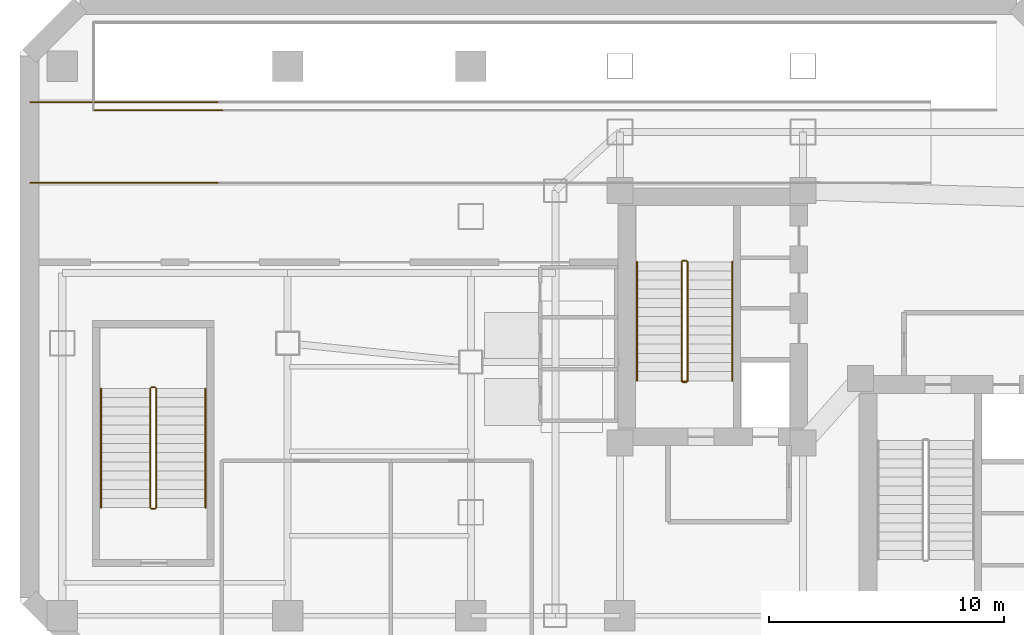
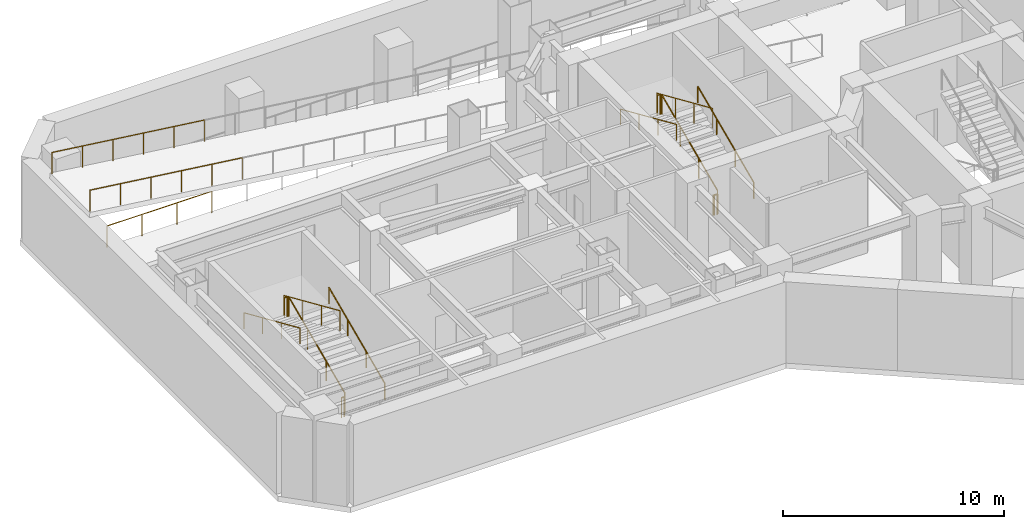
# One storey, part 7 of 9: 26 railings.
"""IFC4 building model written with IfcOpenShell, lengths in metres."""

import ifcopenshell
import ifcopenshell.guid

model = None  # the IFC model being written
_history = None  # IfcOwnerHistory: only IFC2X3 demands one
_inside = {}  # id of a spatial element -> (the spatial element, [elements in it])
_under = {}  # id of a project, library or spatial element -> (it, [spatial elements below it])
_declared = {}  # id of a project -> (the project, [libraries it declares])
_typed = {}  # id of a type object -> (the type object, [elements of that type])
_made_of = {}  # id of a material, layer set ... -> (it, [elements and type objects made of it])


def new_model(schema):
    """Start an empty IFC model of exactly this schema.

    Asked for "IFC4X3", IfcOpenShell would pick the latest addendum, in which some entities
    have other attributes; the version numbers below select the first issue.
    IFC2X3 requires an IfcOwnerHistory on every rooted entity: one is made here for all.
    """
    global model, _history
    if schema == "IFC4X3":
        model = ifcopenshell.file(schema_version=(4, 3, 0, 0))
    else:
        model = ifcopenshell.file(schema=schema)
    _inside.clear()
    _under.clear()
    _declared.clear()
    _typed.clear()
    _made_of.clear()
    _history = None
    if model.schema == "IFC2X3":
        org = make("IfcOrganization", Name="unknown")
        user = make(
            "IfcPersonAndOrganization",
            ThePerson=make("IfcPerson", FamilyName="unknown"),
            TheOrganization=org,
        )
        app = make(
            "IfcApplication",
            ApplicationDeveloper=org,
            Version="unknown",
            ApplicationFullName="unknown",
            ApplicationIdentifier="unknown",
        )
        _history = make(
            "IfcOwnerHistory",
            OwningUser=user,
            OwningApplication=app,
            ChangeAction="ADDED",
            CreationDate=0,
        )
    return model


def make(cls, **values):
    """One entity of the class cls with the attributes given. An attribute that is None is left unset."""
    return model.create_entity(
        cls, **{name: value for name, value in values.items() if value is not None}
    )


def rooted(cls, **values):
    """An entity with a GlobalId (a new one), such as an element, a storey or a relation."""
    return make(cls, GlobalId=ifcopenshell.guid.new(), OwnerHistory=_history, **values)


def si_unit(unit_type, name, prefix=None):
    """IfcSIUnit, for example si_unit("LENGTHUNIT", "METRE", prefix="MILLI")."""
    return make("IfcSIUnit", UnitType=unit_type, Prefix=prefix, Name=name)


def assignment(units):
    """IfcUnitAssignment: the units of a project."""
    return None if units is None else make("IfcUnitAssignment", Units=units)


def point(xyz):
    """IfcCartesianPoint."""
    return None if xyz is None else make("IfcCartesianPoint", Coordinates=xyz)


def direction(xyz):
    """IfcDirection."""
    return None if xyz is None else make("IfcDirection", DirectionRatios=xyz)


def frame(location, z_axis=None, x_axis=None):
    """IfcAxis2Placement3D, a coordinate frame: its origin and axes. An axis left out is left unset."""
    return make(
        "IfcAxis2Placement3D",
        Location=point(location),
        Axis=direction(z_axis),
        RefDirection=direction(x_axis),
    )


def frame_2d(location, x_axis=None):
    """IfcAxis2Placement2D, a coordinate frame in the plane: its origin and x axis."""
    return make(
        "IfcAxis2Placement2D", Location=point(location), RefDirection=direction(x_axis)
    )


def origin():
    """The frame at (0, 0, 0) with its axes left unset."""
    return frame((0.0, 0.0, 0.0))


def origin_2d():
    """The frame at (0, 0) in the plane with its x axis left unset."""
    return frame_2d((0.0, 0.0))


def place(relative_to, where):
    """IfcLocalPlacement: puts the frame where relative to a parent placement (None: the world)."""
    return make(
        "IfcLocalPlacement", PlacementRelTo=relative_to, RelativePlacement=where
    )


def context(
    kind, dimensions, precision=None, world=None, true_north=None, identifier=None
):
    """IfcGeometricRepresentationContext, for example the 3D "Model" context."""
    return make(
        "IfcGeometricRepresentationContext",
        ContextIdentifier=identifier,
        ContextType=kind,
        CoordinateSpaceDimension=dimensions,
        Precision=precision,
        WorldCoordinateSystem=world,
        TrueNorth=true_north,
    )


def subcontext(parent, identifier, kind, view, scale=None):
    """IfcGeometricRepresentationSubContext, for example "Body" below "Model"."""
    return make(
        "IfcGeometricRepresentationSubContext",
        ContextIdentifier=identifier,
        ContextType=kind,
        ParentContext=parent,
        TargetScale=scale,
        TargetView=view,
    )


def project(units=None, contexts=None):
    """IfcProject with its units and contexts."""
    return rooted(
        "IfcProject",
        Name="project",
        RepresentationContexts=contexts,
        UnitsInContext=assignment(units),
    )


def spatial(cls, under=None, at=None, **own):
    """A site, building, storey or space (cls), placed at a placement, below another one or the project."""
    s = rooted(cls, ObjectPlacement=at, **own)
    if under is not None:
        _under.setdefault(under.id(), (under, []))[1].append(s)
    return s


def profile(cls, at=None, kind="AREA", **sizes):
    """A parametric profile (cls). Its sizes go by their IFC names, for example OverallWidth=200.0."""
    return make(cls, ProfileType=kind, Position=at, **sizes)


def circle(**sizes):
    """IfcCircleProfileDef."""
    return profile("IfcCircleProfileDef", **sizes)


def extrude(swept, where, along, depth):
    """IfcExtrudedAreaSolid: the profile swept, set in the frame where, extruded along a direction by depth."""
    return make(
        "IfcExtrudedAreaSolid",
        SweptArea=swept,
        Position=where,
        ExtrudedDirection=direction(along),
        Depth=depth,
    )


def shape(context_of_items, identifier, shape_type, items):
    """IfcShapeRepresentation: the items that make up one representation, for example the "Body"."""
    return make(
        "IfcShapeRepresentation",
        ContextOfItems=context_of_items,
        RepresentationIdentifier=identifier,
        RepresentationType=shape_type,
        Items=items,
    )


def material(Name=None, Category=None):
    """IfcMaterial."""
    return make("IfcMaterial", Name=Name, Category=Category)


def layer(
    of_material, thickness, ventilated=None, Name=None, Category=None, Priority=None
):
    """IfcMaterialLayer: one layer of a wall or slab, of a material (None: an air gap)."""
    return make(
        "IfcMaterialLayer",
        Material=of_material,
        LayerThickness=thickness,
        IsVentilated=ventilated,
        Name=Name,
        Category=Category,
        Priority=Priority,
    )


def layer_set(layers, Name=None):
    """IfcMaterialLayerSet."""
    return make("IfcMaterialLayerSet", MaterialLayers=layers, LayerSetName=Name)


def made_of(thing, what):
    """Note that an element or type object is made of a material, layer set ...; save() writes the relation."""
    if what is not None:
        _made_of.setdefault(what.id(), (what, []))[1].append(thing)
    return thing


def type_object(cls, material=None, **own):
    """A type object (cls), such as IfcWallType, which elements share."""
    return made_of(rooted(cls, **own), material)


def element(
    cls,
    number,
    at=None,
    inside=None,
    cuts=None,
    type_object=None,
    material=None,
    context=None,
    identifier="Body",
    shape_type=None,
    held_by="IfcProductDefinitionShape",
    body=None,
    shapes=None,
    **own,
):
    """One element of the class cls, such as IfcWall. Its Tag is "e" and its number.

    at: its placement. inside: the storey or other place that contains it. cuts: it is an
    opening in that element (IfcRelVoidsElement). A single representation is given by context,
    identifier, shape_type and body (its items); several are given by shapes. held_by: the class
    of the entity that holds the representations. save() writes the other relations.
    """
    e = rooted(cls, Tag="e%d" % number, ObjectPlacement=at, **own)
    if body is not None:
        shapes = [shape(context, identifier, shape_type, body)]
    if shapes is not None:
        e.Representation = make(held_by, Representations=shapes)
    if inside is not None:
        _inside.setdefault(inside.id(), (inside, []))[1].append(e)
    if cuts is not None:
        rooted(
            "IfcRelVoidsElement", RelatingBuildingElement=cuts, RelatedOpeningElement=e
        )
    if type_object is not None:
        _typed.setdefault(type_object.id(), (type_object, []))[1].append(e)
    return made_of(e, material)


def aggregate(whole, parts):
    """IfcRelAggregates: a whole, such as a stair, and the parts it consists of."""
    return rooted("IfcRelAggregates", RelatingObject=whole, RelatedObjects=parts)


def save(model, path):
    """Write the relations noted so far, then the file.

    IfcRelAggregates (storeys below a building ...), IfcRelContainedInSpatialStructure (elements
    in a storey), IfcRelDefinesByType, IfcRelAssociatesMaterial and IfcRelDeclares: one each for
    every whole, place, type object, material and project.
    """
    for whole, parts in _under.values():
        aggregate(whole, parts)
    for where, things in _inside.values():
        rooted(
            "IfcRelContainedInSpatialStructure",
            RelatedElements=things,
            RelatingStructure=where,
        )
    for kind, things in _typed.values():
        rooted("IfcRelDefinesByType", RelatedObjects=things, RelatingType=kind)
    for what, things in _made_of.values():
        rooted("IfcRelAssociatesMaterial", RelatedObjects=things, RelatingMaterial=what)
    for by, libraries in _declared.values():
        rooted("IfcRelDeclares", RelatingContext=by, RelatedDefinitions=libraries)
    model.write(path)


model = new_model("IFC4")

# Units and contexts
model_context = context("Model", 3, precision=1e-05, world=origin(), true_north=direction((0.0, 1.0)))
body_context = subcontext(model_context, "Body", "Model", "MODEL_VIEW")
ifc_project = project(units=[si_unit("LENGTHUNIT", "METRE"), si_unit("AREAUNIT", "SQUARE_METRE"), si_unit("VOLUMEUNIT", "CUBIC_METRE"), si_unit("PLANEANGLEUNIT", "RADIAN"), si_unit("MASSUNIT", "GRAM", prefix="KILO")], contexts=[model_context])

# Site, building, storey
site_placement = place(None, origin())
site = spatial("IfcSite", under=ifc_project, at=site_placement, CompositionType="ELEMENT")
building_placement = place(site_placement, origin())
building = spatial("IfcBuilding", under=site, at=building_placement, Name="Hatsunagi Terrace Concourse", CompositionType="ELEMENT")
storey_placement = place(building_placement, frame((0.0, 0.0, -4.800048828125)))
storey = spatial("IfcBuildingStorey", under=building, at=storey_placement, Name="B01", CompositionType="ELEMENT", Elevation=-4.800048828125)

# Railings
ifc_material_1 = material(Name="Stainless steel", Category="steel")
ifc_layer_1 = layer(ifc_material_1, 0.050048828125)
ifc_layer_set_1 = layer_set([ifc_layer_1], Name="StairPitchHandrail_Podium2200")
railing_type_1 = type_object("IfcRailingType", Name="StairPitchHandrail_Podium2200", PredefinedType="HANDRAIL", material=ifc_layer_set_1)
railing_1_placement = place(storey_placement, frame((7.89990234375, 29.800048828125, 0.17138671875)))
element("IfcRailing", 1, at=railing_1_placement, inside=storey, type_object=railing_type_1, Name="B01 ST-P1 stair handrail 1", PredefinedType="HANDRAIL", context=body_context, shape_type="SweptSolid", body=[
    extrude(circle(Radius=0.02392578125, at=origin_2d()), frame((0.0, 0.0, 0.8759765625), z_axis=(0.0, 0.915452779696, 0.402425406936), x_axis=(-1.0, 0.0, 0.0)), (0.0, 0.0, 1.0), 5.538330078125),
    extrude(circle(Radius=0.02099609375, at=origin_2d()), origin(), (0.0, 0.0, 1.0), 0.851806640625),
    extrude(circle(Radius=0.02099609375, at=origin_2d()), frame((0.0, 1.68994140625, 0.742919921875)), (0.0, 0.0, 1.0), 0.851806640625),
    extrude(circle(Radius=0.02099609375, at=origin_2d()), frame((0.0, 3.380126953125, 1.48583984375)), (0.0, 0.0, 1.0), 0.851806640625),
    extrude(circle(Radius=0.02099609375, at=origin_2d()), frame((0.0, 5.070068359375, 2.228759765625)), (0.0, 0.0, 1.0), 0.851806640625),
])
railing_2_placement = place(storey_placement, frame((3.449951171875, 34.8701171875, 2.571533203125)))
element("IfcRailing", 2, at=railing_2_placement, inside=storey, type_object=railing_type_1, Name="B01 ST-P1 stair handrail 2", PredefinedType="HANDRAIL", context=body_context, shape_type="SweptSolid", body=[
    extrude(circle(Radius=0.02392578125, at=origin_2d()), frame((0.0, 0.0, 0.8759765625), z_axis=(0.0, -0.915469019145, 0.40238846279), x_axis=(1.0, 0.0, 0.0)), (0.0, 0.0, 1.0), 5.538330078125),
    extrude(circle(Radius=0.02099609375, at=origin_2d()), origin(), (0.0, 0.0, 1.0), 0.851806640625),
    extrude(circle(Radius=0.02099609375, at=origin_2d()), frame((0.0, -1.68994140625, 0.742919921875)), (0.0, 0.0, 1.0), 0.851806640625),
    extrude(circle(Radius=0.02099609375, at=origin_2d()), frame((0.0, -3.380126953125, 1.485595703125)), (0.0, 0.0, 1.0), 0.851806640625),
    extrude(circle(Radius=0.02099609375, at=origin_2d()), frame((0.0, -5.070068359375, 2.228515625)), (0.0, 0.0, 1.0), 0.851806640625),
])
ifc_material_2 = material(Name="Stainless steel", Category="steel")
ifc_layer_2 = layer(ifc_material_2, 0.044921875)
ifc_layer_set_2 = layer_set([ifc_layer_2], Name="StairPitchHandrail_Tower2000")
railing_type_2 = type_object("IfcRailingType", Name="StairPitchHandrail_Tower2000", PredefinedType="HANDRAIL", material=ifc_layer_set_2)
railing_3_placement = place(storey_placement, frame((30.330078125, 35.199951171875, 0.17138671875)))
element("IfcRailing", 3, at=railing_3_placement, inside=storey, type_object=railing_type_2, Name="B01 ST-A stair handrail 1", PredefinedType="HANDRAIL", context=body_context, shape_type="SweptSolid", body=[
    extrude(circle(Radius=0.02392578125, at=origin_2d()), frame((0.0, 0.0, 0.8759765625), z_axis=(0.0, 0.915452779696, 0.402425406936), x_axis=(-1.0, 0.0, 0.0)), (0.0, 0.0, 1.0), 5.538330078125),
    extrude(circle(Radius=0.02099609375, at=origin_2d()), origin(), (0.0, 0.0, 1.0), 0.851806640625),
    extrude(circle(Radius=0.02099609375, at=origin_2d()), frame((0.0, 1.68994140625, 0.742919921875)), (0.0, 0.0, 1.0), 0.851806640625),
    extrude(circle(Radius=0.02099609375, at=origin_2d()), frame((0.0, 3.380126953125, 1.48583984375)), (0.0, 0.0, 1.0), 0.851806640625),
    extrude(circle(Radius=0.02099609375, at=origin_2d()), frame((0.0, 5.070068359375, 2.228759765625)), (0.0, 0.0, 1.0), 0.851806640625),
])
railing_4_placement = place(storey_placement, frame((26.280029296875, 40.27001953125, 2.571533203125)))
element("IfcRailing", 4, at=railing_4_placement, inside=storey, type_object=railing_type_2, Name="B01 ST-A stair handrail 2", PredefinedType="HANDRAIL", context=body_context, shape_type="SweptSolid", body=[
    extrude(circle(Radius=0.02392578125, at=origin_2d()), frame((0.0, 0.0, 0.8759765625), z_axis=(0.0, -0.915469019145, 0.40238846279), x_axis=(1.0, 0.0, 0.0)), (0.0, 0.0, 1.0), 5.538330078125),
    extrude(circle(Radius=0.02099609375, at=origin_2d()), origin(), (0.0, 0.0, 1.0), 0.851806640625),
    extrude(circle(Radius=0.02099609375, at=origin_2d()), frame((0.0, -1.68994140625, 0.742919921875)), (0.0, 0.0, 1.0), 0.851806640625),
    extrude(circle(Radius=0.02099609375, at=origin_2d()), frame((0.0, -3.380126953125, 1.485595703125)), (0.0, 0.0, 1.0), 0.851806640625),
    extrude(circle(Radius=0.02099609375, at=origin_2d()), frame((0.0, -5.070068359375, 2.228515625)), (0.0, 0.0, 1.0), 0.851806640625),
])
ifc_material_3 = material(Name="Stainless steel", Category="steel")
ifc_layer_3 = layer(ifc_material_3, 0.06494140625)
ifc_layer_set_3 = layer_set([ifc_layer_3], Name="StairWellGuard_Podium2200")
railing_type_3 = type_object("IfcRailingType", Name="StairWellGuard_Podium2200", PredefinedType="BALUSTRADE", material=ifc_layer_set_3)
railing_5_placement = place(storey_placement, frame((5.800048828125, 29.800048828125, 0.17138671875)))
element("IfcRailing", 5, at=railing_5_placement, inside=storey, type_object=railing_type_3, Name="B01 ST-P1 stair guard 1", PredefinedType="BALUSTRADE", context=body_context, shape_type="SweptSolid", body=[
    extrude(circle(Radius=0.02392578125, at=origin_2d()), frame((0.0, 0.0, 1.09619140625), z_axis=(0.0, 0.915452779696, 0.402425406936), x_axis=(-1.0, 0.0, 0.0)), (0.0, 0.0, 1.0), 5.538330078125),
    extrude(circle(Radius=0.02099609375, at=origin_2d()), origin(), (0.0, 0.0, 1.0), 1.072021484375),
    extrude(circle(Radius=0.02099609375, at=origin_2d()), frame((0.0, 1.68994140625, 0.742919921875)), (0.0, 0.0, 1.0), 1.072021484375),
    extrude(circle(Radius=0.02099609375, at=origin_2d()), frame((0.0, 3.380126953125, 1.48583984375)), (0.0, 0.0, 1.0), 1.072021484375),
    extrude(circle(Radius=0.02099609375, at=origin_2d()), frame((0.0, 5.070068359375, 2.228759765625)), (0.0, 0.0, 1.0), 1.072021484375),
])
railing_6_placement = place(storey_placement, frame((5.75, 34.919921875, 2.400146484375)))
element("IfcRailing", 6, at=railing_6_placement, inside=storey, type_object=railing_type_3, Name="B01 ST-P1 stair guard 2", PredefinedType="BALUSTRADE", context=body_context, shape_type="SweptSolid", body=[
    extrude(circle(Radius=0.02392578125, at=origin_2d()), frame((0.0, 0.0, 1.09619140625), z_axis=(-1.0, 0.0, 0.0), x_axis=(0.0, -1.0, 0.0)), (0.0, 0.0, 1.0), 0.14990234375),
    extrude(circle(Radius=0.02099609375, at=origin_2d()), origin(), (0.0, 0.0, 1.0), 1.072021484375),
    extrude(circle(Radius=0.02099609375, at=origin_2d()), frame((-0.14990234375, 0.0, 0.0)), (0.0, 0.0, 1.0), 1.072021484375),
])
railing_7_placement = place(storey_placement, frame((5.550048828125, 34.8701171875, 2.571533203125)))
element("IfcRailing", 7, at=railing_7_placement, inside=storey, type_object=railing_type_3, Name="B01 ST-P1 stair guard 3", PredefinedType="BALUSTRADE", context=body_context, shape_type="SweptSolid", body=[
    extrude(circle(Radius=0.02392578125, at=origin_2d()), frame((0.0, 0.0, 1.09619140625), z_axis=(0.0, -0.915469019145, 0.40238846279), x_axis=(1.0, 0.0, 0.0)), (0.0, 0.0, 1.0), 5.538330078125),
    extrude(circle(Radius=0.02099609375, at=origin_2d()), origin(), (0.0, 0.0, 1.0), 1.072021484375),
    extrude(circle(Radius=0.02099609375, at=origin_2d()), frame((0.0, -1.68994140625, 0.742919921875)), (0.0, 0.0, 1.0), 1.072021484375),
    extrude(circle(Radius=0.02099609375, at=origin_2d()), frame((0.0, -3.380126953125, 1.485595703125)), (0.0, 0.0, 1.0), 1.072021484375),
    extrude(circle(Radius=0.02099609375, at=origin_2d()), frame((0.0, -5.070068359375, 2.228515625)), (0.0, 0.0, 1.0), 1.072021484375),
])
railing_8_placement = place(storey_placement, frame((5.75, 29.75, 0.0)))
element("IfcRailing", 8, at=railing_8_placement, inside=storey, type_object=railing_type_3, Name="B01 ST-P1 stair guard 4", PredefinedType="BALUSTRADE", context=body_context, shape_type="SweptSolid", body=[
    extrude(circle(Radius=0.02392578125, at=origin_2d()), frame((0.0, 0.0, 1.09619140625), z_axis=(-1.0, 0.0, 0.0), x_axis=(0.0, -1.0, 0.0)), (0.0, 0.0, 1.0), 0.14990234375),
    extrude(circle(Radius=0.02099609375, at=origin_2d()), origin(), (0.0, 0.0, 1.0), 1.072021484375),
    extrude(circle(Radius=0.02099609375, at=origin_2d()), frame((-0.14990234375, 0.0, 0.0)), (0.0, 0.0, 1.0), 1.072021484375),
])
ifc_material_4 = material(Name="Stainless steel", Category="steel")
ifc_layer_4 = layer(ifc_material_4, 0.06005859375)
ifc_layer_set_4 = layer_set([ifc_layer_4], Name="StairWellGuard_Tower2000")
railing_type_4 = type_object("IfcRailingType", Name="StairWellGuard_Tower2000", PredefinedType="BALUSTRADE", material=ifc_layer_set_4)
railing_9_placement = place(storey_placement, frame((28.429931640625, 35.199951171875, 0.17138671875)))
element("IfcRailing", 9, at=railing_9_placement, inside=storey, type_object=railing_type_4, Name="B01 ST-A stair guard 1", PredefinedType="BALUSTRADE", context=body_context, shape_type="SweptSolid", body=[
    extrude(circle(Radius=0.02392578125, at=origin_2d()), frame((0.0, 0.0, 1.09619140625), z_axis=(0.0, 0.915452779696, 0.402425406936), x_axis=(-1.0, 0.0, 0.0)), (0.0, 0.0, 1.0), 5.538330078125),
    extrude(circle(Radius=0.02099609375, at=origin_2d()), origin(), (0.0, 0.0, 1.0), 1.072021484375),
    extrude(circle(Radius=0.02099609375, at=origin_2d()), frame((0.0, 1.68994140625, 0.742919921875)), (0.0, 0.0, 1.0), 1.072021484375),
    extrude(circle(Radius=0.02099609375, at=origin_2d()), frame((0.0, 3.380126953125, 1.48583984375)), (0.0, 0.0, 1.0), 1.072021484375),
    extrude(circle(Radius=0.02099609375, at=origin_2d()), frame((0.0, 5.070068359375, 2.228759765625)), (0.0, 0.0, 1.0), 1.072021484375),
])
railing_10_placement = place(storey_placement, frame((28.3798828125, 40.320068359375, 2.400146484375)))
element("IfcRailing", 10, at=railing_10_placement, inside=storey, type_object=railing_type_4, Name="B01 ST-A stair guard 2", PredefinedType="BALUSTRADE", context=body_context, shape_type="SweptSolid", body=[
    extrude(circle(Radius=0.02392578125, at=origin_2d()), frame((0.0, 0.0, 1.09619140625), z_axis=(-1.0, 0.0, 0.0), x_axis=(0.0, -1.0, 0.0)), (0.0, 0.0, 1.0), 0.14990234375),
    extrude(circle(Radius=0.02099609375, at=origin_2d()), origin(), (0.0, 0.0, 1.0), 1.072021484375),
    extrude(circle(Radius=0.02099609375, at=origin_2d()), frame((-0.14990234375, 0.0, 0.0)), (0.0, 0.0, 1.0), 1.072021484375),
])
railing_11_placement = place(storey_placement, frame((28.179931640625, 40.27001953125, 2.571533203125)))
element("IfcRailing", 11, at=railing_11_placement, inside=storey, type_object=railing_type_4, Name="B01 ST-A stair guard 3", PredefinedType="BALUSTRADE", context=body_context, shape_type="SweptSolid", body=[
    extrude(circle(Radius=0.02392578125, at=origin_2d()), frame((0.0, 0.0, 1.09619140625), z_axis=(0.0, -0.915469019145, 0.40238846279), x_axis=(1.0, 0.0, 0.0)), (0.0, 0.0, 1.0), 5.538330078125),
    extrude(circle(Radius=0.02099609375, at=origin_2d()), origin(), (0.0, 0.0, 1.0), 1.072021484375),
    extrude(circle(Radius=0.02099609375, at=origin_2d()), frame((0.0, -1.68994140625, 0.742919921875)), (0.0, 0.0, 1.0), 1.072021484375),
    extrude(circle(Radius=0.02099609375, at=origin_2d()), frame((0.0, -3.380126953125, 1.485595703125)), (0.0, 0.0, 1.0), 1.072021484375),
    extrude(circle(Radius=0.02099609375, at=origin_2d()), frame((0.0, -5.070068359375, 2.228515625)), (0.0, 0.0, 1.0), 1.072021484375),
])
railing_12_placement = place(storey_placement, frame((28.3798828125, 35.14990234375, 0.0)))
element("IfcRailing", 12, at=railing_12_placement, inside=storey, type_object=railing_type_4, Name="B01 ST-A stair guard 4", PredefinedType="BALUSTRADE", context=body_context, shape_type="SweptSolid", body=[
    extrude(circle(Radius=0.02392578125, at=origin_2d()), frame((0.0, 0.0, 1.09619140625), z_axis=(-1.0, 0.0, 0.0), x_axis=(0.0, -1.0, 0.0)), (0.0, 0.0, 1.0), 0.14990234375),
    extrude(circle(Radius=0.02099609375, at=origin_2d()), origin(), (0.0, 0.0, 1.0), 1.072021484375),
    extrude(circle(Radius=0.02099609375, at=origin_2d()), frame((-0.14990234375, 0.0, 0.0)), (0.0, 0.0, 1.0), 1.072021484375),
])
ifc_material_5 = material(Name="Stainless Steel SUS316 Post-and-Rail Guard", Category="steel")
ifc_layer_5 = layer(ifc_material_5, 0.080078125)
ifc_layer_set_5 = layer_set([ifc_layer_5], Name="TerracePlantedGuardRail_1200")
railing_type_5 = type_object("IfcRailingType", Name="TerracePlantedGuardRail_1200", PredefinedType="GUARDRAIL", material=ifc_layer_set_5)
railing_13_placement = place(storey_placement, frame((28.179931640625, 35.179931640625, 0.0)))
element("IfcRailing", 13, at=railing_13_placement, inside=storey, type_object=railing_type_5, Name="Stair ST-A Well Closure Guard B01", PredefinedType="GUARDRAIL", context=body_context, shape_type="SweptSolid", body=[
    extrude(circle(Radius=0.02392578125, at=origin_2d()), frame((0.0, 0.0, 1.09619140625), z_axis=(1.0, 0.0, 0.0), x_axis=(0.0, 1.0, 0.0)), (0.0, 0.0, 1.0), 0.25),
    extrude(circle(Radius=0.02099609375, at=origin_2d()), origin(), (0.0, 0.0, 1.0), 1.072021484375),
    extrude(circle(Radius=0.02099609375, at=origin_2d()), frame((0.25, 0.0, 0.0)), (0.0, 0.0, 1.0), 1.072021484375),
])
railing_14_placement = place(storey_placement, frame((8.610107421875, 46.719970703125, 0.0)))
element("IfcRailing", 14, at=railing_14_placement, inside=storey, type_object=railing_type_5, Name="B01 Car Park Ramp Well Guardrail GRD-02 #19", PredefinedType="GUARDRAIL", context=body_context, shape_type="SweptSolid", body=[
    extrude(circle(Radius=0.02392578125, at=origin_2d()), frame((0.0, 0.0, 1.17578125), z_axis=(-1.0, 0.0, 0.0), x_axis=(0.0, -1.0, 0.0)), (0.0, 0.0, 1.0), 1.822998046875),
    extrude(circle(Radius=0.02099609375, at=origin_2d()), origin(), (0.0, 0.0, 1.0), 1.15185546875),
    extrude(circle(Radius=0.02099609375, at=origin_2d()), frame((-1.822998046875, 0.0, 0.0)), (0.0, 0.0, 1.0), 1.15185546875),
])
railing_15_placement = place(storey_placement, frame((6.779052734375, 46.719970703125, 0.0)))
element("IfcRailing", 15, at=railing_15_placement, inside=storey, type_object=railing_type_5, Name="B01 Car Park Ramp Well Guardrail GRD-02 #20", PredefinedType="GUARDRAIL", context=body_context, shape_type="SweptSolid", body=[
    extrude(circle(Radius=0.02392578125, at=origin_2d()), frame((0.0, 0.0, 1.17578125), z_axis=(-1.0, 0.0, 0.0), x_axis=(0.0, -1.0, 0.0)), (0.0, 0.0, 1.0), 1.823974609375),
    extrude(circle(Radius=0.02099609375, at=origin_2d()), origin(), (0.0, 0.0, 1.0), 1.15185546875),
    extrude(circle(Radius=0.02099609375, at=origin_2d()), frame((-1.823974609375, 0.0, 0.0)), (0.0, 0.0, 1.0), 1.15185546875),
])
railing_16_placement = place(storey_placement, frame((4.947021484375, 46.719970703125, 0.0)))
element("IfcRailing", 16, at=railing_16_placement, inside=storey, type_object=railing_type_5, Name="B01 Car Park Ramp Well Guardrail GRD-02 #21", PredefinedType="GUARDRAIL", context=body_context, shape_type="SweptSolid", body=[
    extrude(circle(Radius=0.02392578125, at=origin_2d()), frame((0.0, 0.0, 1.17578125), z_axis=(-1.0, 0.0, 0.0), x_axis=(0.0, -1.0, 0.0)), (0.0, 0.0, 1.0), 1.826904296875),
    extrude(circle(Radius=0.02099609375, at=origin_2d()), origin(), (0.0, 0.0, 1.0), 1.15185546875),
    extrude(circle(Radius=0.02099609375, at=origin_2d()), frame((-1.826904296875, 0.0, 0.0)), (0.0, 0.0, 1.0), 1.15185546875),
])
railing_17_placement = place(storey_placement, frame((8.4189453125, 43.6298828125, 3.798095703125)))
element("IfcRailing", 17, at=railing_17_placement, inside=storey, type_object=railing_type_5, Name="B01 Vehicle Ramp R2 Sloped Side Guardrail GRD-02 S #20", PredefinedType="GUARDRAIL", context=body_context, shape_type="SweptSolid", body=[
    extrude(circle(Radius=0.02392578125, at=origin_2d()), frame((0.0, 0.0, 1.17578125), z_axis=(-0.992315386925, 0.0, 0.123734283333), x_axis=(0.0, -1.0, 0.0)), (0.0, 0.0, 1.0), 1.60009765625),
    extrude(circle(Radius=0.02099609375, at=origin_2d()), origin(), (0.0, 0.0, 1.0), 1.15185546875),
    extrude(circle(Radius=0.02099609375, at=origin_2d()), frame((-1.587890625, 0.0, 0.197998046875)), (0.0, 0.0, 1.0), 1.15185546875),
])
railing_18_placement = place(storey_placement, frame((6.822998046875, 43.6298828125, 3.9970703125)))
element("IfcRailing", 18, at=railing_18_placement, inside=storey, type_object=railing_type_5, Name="B01 Vehicle Ramp R2 Sloped Side Guardrail GRD-02 S #21", PredefinedType="GUARDRAIL", context=body_context, shape_type="SweptSolid", body=[
    extrude(circle(Radius=0.02392578125, at=origin_2d()), frame((0.0, 0.0, 1.17578125), z_axis=(-0.99225205719, 0.0, 0.124241116394), x_axis=(0.0, -1.0, 0.0)), (0.0, 0.0, 1.0), 1.6015625),
    extrude(circle(Radius=0.02099609375, at=origin_2d()), origin(), (0.0, 0.0, 1.0), 1.15185546875),
    extrude(circle(Radius=0.02099609375, at=origin_2d()), frame((-1.589111328125, 0.0, 0.198974609375)), (0.0, 0.0, 1.0), 1.15185546875),
])
railing_19_placement = place(storey_placement, frame((5.22607421875, 43.6298828125, 4.197021484375)))
element("IfcRailing", 19, at=railing_19_placement, inside=storey, type_object=railing_type_5, Name="B01 Vehicle Ramp R2 Sloped Side Guardrail GRD-02 S #22", PredefinedType="GUARDRAIL", context=body_context, shape_type="SweptSolid", body=[
    extrude(circle(Radius=0.02392578125, at=origin_2d()), frame((0.0, 0.0, 1.17578125), z_axis=(-0.992327053043, 0.0, 0.123640688281), x_axis=(0.0, -1.0, 0.0)), (0.0, 0.0, 1.0), 1.601318359375),
    extrude(circle(Radius=0.02099609375, at=origin_2d()), origin(), (0.0, 0.0, 1.0), 1.15185546875),
    extrude(circle(Radius=0.02099609375, at=origin_2d()), frame((-1.589111328125, 0.0, 0.197998046875)), (0.0, 0.0, 1.0), 1.15185546875),
])
railing_20_placement = place(storey_placement, frame((3.62890625, 43.6298828125, 4.39599609375)))
element("IfcRailing", 20, at=railing_20_placement, inside=storey, type_object=railing_type_5, Name="B01 Vehicle Ramp R2 Sloped Side Guardrail GRD-02 S #23", PredefinedType="GUARDRAIL", context=body_context, shape_type="SweptSolid", body=[
    extrude(circle(Radius=0.02392578125, at=origin_2d()), frame((0.0, 0.0, 1.17578125), z_axis=(-0.992240278382, 0.0, 0.124335151734), x_axis=(0.0, -1.0, 0.0)), (0.0, 0.0, 1.0), 1.600341796875),
    extrude(circle(Radius=0.02099609375, at=origin_2d()), origin(), (0.0, 0.0, 1.0), 1.15185546875),
    extrude(circle(Radius=0.02099609375, at=origin_2d()), frame((-1.587890625, 0.0, 0.198974609375)), (0.0, 0.0, 1.0), 1.15185546875),
])
railing_21_placement = place(storey_placement, frame((2.032958984375, 43.6298828125, 4.595947265625)))
element("IfcRailing", 21, at=railing_21_placement, inside=storey, type_object=railing_type_5, Name="B01 Vehicle Ramp R2 Sloped Side Guardrail GRD-02 S #24", PredefinedType="GUARDRAIL", context=body_context, shape_type="SweptSolid", body=[
    extrude(circle(Radius=0.02392578125, at=origin_2d()), frame((0.0, 0.0, 1.17578125), z_axis=(-0.99227085641, 0.0, 0.124090884112), x_axis=(0.0, -1.0, 0.0)), (0.0, 0.0, 1.0), 1.60546875),
    extrude(circle(Radius=0.02099609375, at=origin_2d()), origin(), (0.0, 0.0, 1.0), 1.15185546875),
    extrude(circle(Radius=0.02099609375, at=origin_2d()), frame((-1.593017578125, 0.0, 0.19921875)), (0.0, 0.0, 1.0), 1.15185546875),
])
railing_22_placement = place(storey_placement, frame((8.4189453125, 47.070068359375, 3.798095703125)))
element("IfcRailing", 22, at=railing_22_placement, inside=storey, type_object=railing_type_5, Name="B01 Vehicle Ramp R2 Sloped Side Guardrail GRD-02 N #20", PredefinedType="GUARDRAIL", context=body_context, shape_type="SweptSolid", body=[
    extrude(circle(Radius=0.02392578125, at=origin_2d()), frame((0.0, 0.0, 1.17578125), z_axis=(-0.992315386925, 0.0, 0.123734283333), x_axis=(0.0, -1.0, 0.0)), (0.0, 0.0, 1.0), 1.60009765625),
    extrude(circle(Radius=0.02099609375, at=origin_2d()), origin(), (0.0, 0.0, 1.0), 1.15185546875),
    extrude(circle(Radius=0.02099609375, at=origin_2d()), frame((-1.587890625, 0.0, 0.197998046875)), (0.0, 0.0, 1.0), 1.15185546875),
])
railing_23_placement = place(storey_placement, frame((6.822998046875, 47.070068359375, 3.9970703125)))
element("IfcRailing", 23, at=railing_23_placement, inside=storey, type_object=railing_type_5, Name="B01 Vehicle Ramp R2 Sloped Side Guardrail GRD-02 N #21", PredefinedType="GUARDRAIL", context=body_context, shape_type="SweptSolid", body=[
    extrude(circle(Radius=0.02392578125, at=origin_2d()), frame((0.0, 0.0, 1.17578125), z_axis=(-0.99225205719, 0.0, 0.124241116394), x_axis=(0.0, -1.0, 0.0)), (0.0, 0.0, 1.0), 1.6015625),
    extrude(circle(Radius=0.02099609375, at=origin_2d()), origin(), (0.0, 0.0, 1.0), 1.15185546875),
    extrude(circle(Radius=0.02099609375, at=origin_2d()), frame((-1.589111328125, 0.0, 0.198974609375)), (0.0, 0.0, 1.0), 1.15185546875),
])
railing_24_placement = place(storey_placement, frame((5.22607421875, 47.070068359375, 4.197021484375)))
element("IfcRailing", 24, at=railing_24_placement, inside=storey, type_object=railing_type_5, Name="B01 Vehicle Ramp R2 Sloped Side Guardrail GRD-02 N #22", PredefinedType="GUARDRAIL", context=body_context, shape_type="SweptSolid", body=[
    extrude(circle(Radius=0.02392578125, at=origin_2d()), frame((0.0, 0.0, 1.17578125), z_axis=(-0.992327053043, 0.0, 0.123640688281), x_axis=(0.0, -1.0, 0.0)), (0.0, 0.0, 1.0), 1.601318359375),
    extrude(circle(Radius=0.02099609375, at=origin_2d()), origin(), (0.0, 0.0, 1.0), 1.15185546875),
    extrude(circle(Radius=0.02099609375, at=origin_2d()), frame((-1.589111328125, 0.0, 0.197998046875)), (0.0, 0.0, 1.0), 1.15185546875),
])
railing_25_placement = place(storey_placement, frame((3.62890625, 47.070068359375, 4.39599609375)))
element("IfcRailing", 25, at=railing_25_placement, inside=storey, type_object=railing_type_5, Name="B01 Vehicle Ramp R2 Sloped Side Guardrail GRD-02 N #23", PredefinedType="GUARDRAIL", context=body_context, shape_type="SweptSolid", body=[
    extrude(circle(Radius=0.02392578125, at=origin_2d()), frame((0.0, 0.0, 1.17578125), z_axis=(-0.992240278382, 0.0, 0.124335151734), x_axis=(0.0, -1.0, 0.0)), (0.0, 0.0, 1.0), 1.600341796875),
    extrude(circle(Radius=0.02099609375, at=origin_2d()), origin(), (0.0, 0.0, 1.0), 1.15185546875),
    extrude(circle(Radius=0.02099609375, at=origin_2d()), frame((-1.587890625, 0.0, 0.198974609375)), (0.0, 0.0, 1.0), 1.15185546875),
])
railing_26_placement = place(storey_placement, frame((2.032958984375, 47.070068359375, 4.595947265625)))
element("IfcRailing", 26, at=railing_26_placement, inside=storey, type_object=railing_type_5, Name="B01 Vehicle Ramp R2 Sloped Side Guardrail GRD-02 N #24", PredefinedType="GUARDRAIL", context=body_context, shape_type="SweptSolid", body=[
    extrude(circle(Radius=0.02392578125, at=origin_2d()), frame((0.0, 0.0, 1.17578125), z_axis=(-0.99227085641, 0.0, 0.124090884112), x_axis=(0.0, -1.0, 0.0)), (0.0, 0.0, 1.0), 1.60546875),
    extrude(circle(Radius=0.02099609375, at=origin_2d()), origin(), (0.0, 0.0, 1.0), 1.15185546875),
    extrude(circle(Radius=0.02099609375, at=origin_2d()), frame((-1.593017578125, 0.0, 0.19921875)), (0.0, 0.0, 1.0), 1.15185546875),
])

save(model, "model.ifc")
